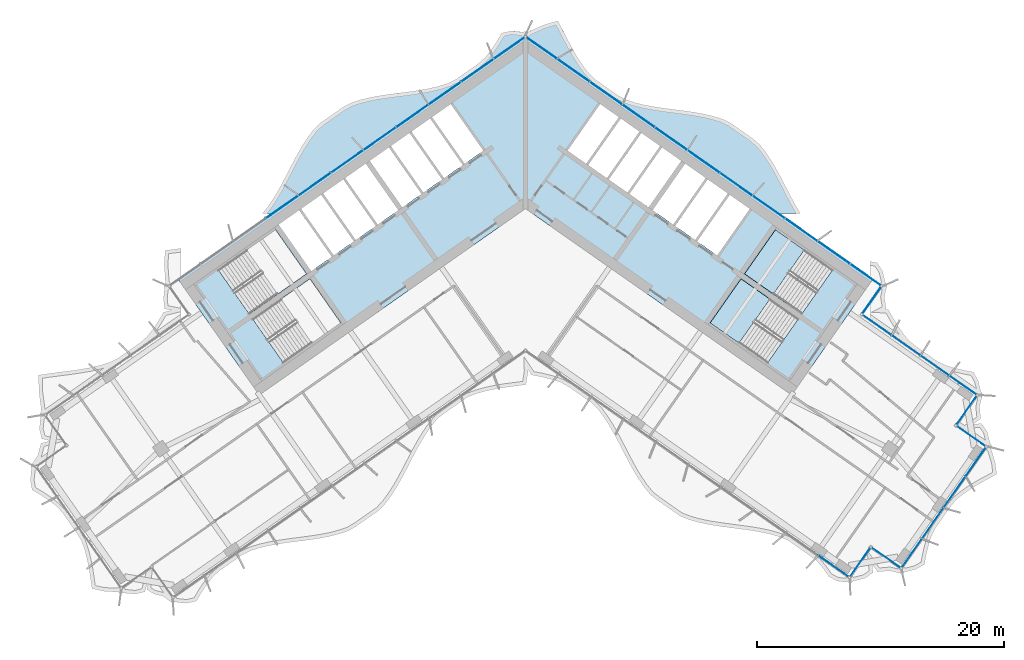
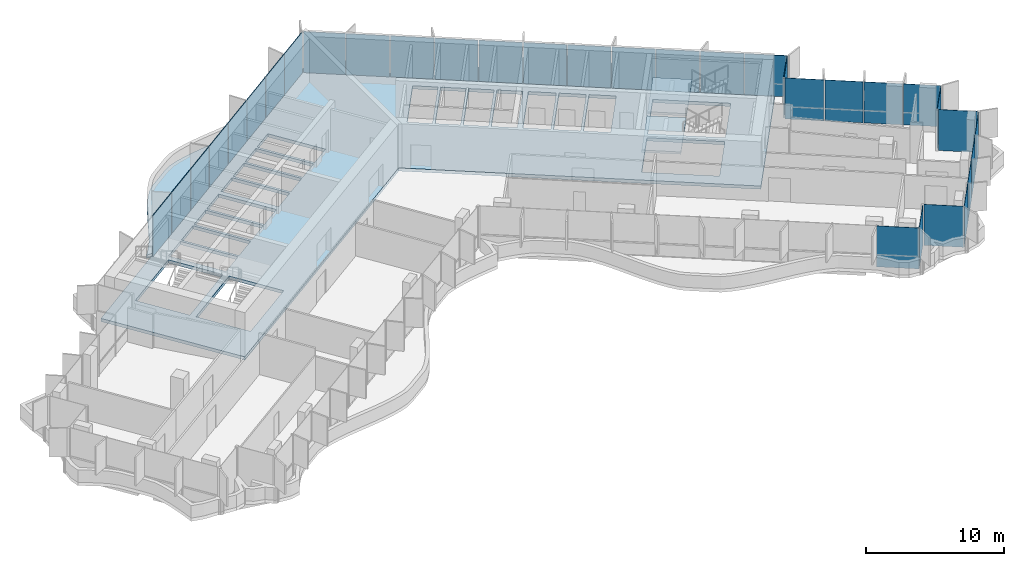
# One storey, part 11 of 21: 33 plates, 4 slabs, 4 elements without a shape of their own.
"""IFC4 building model written with IfcOpenShell, lengths in metres."""

from ifc_helpers import new_model, si_unit, direction, frame, origin, origin_2d, place, context, subcontext, project, spatial, polyline, rectangle, outline, extrude, material, layer, layer_set, type_object, element, aggregate, save


model = new_model("IFC4")

# Units and contexts
model_context = context("Model", 3, precision=1e-05, world=origin(), true_north=direction((0.0, 1.0)))
body_context = subcontext(model_context, "Body", "Model", "MODEL_VIEW")
ifc_project = project(units=[si_unit("LENGTHUNIT", "METRE"), si_unit("AREAUNIT", "SQUARE_METRE"), si_unit("VOLUMEUNIT", "CUBIC_METRE"), si_unit("PLANEANGLEUNIT", "RADIAN"), si_unit("MASSUNIT", "GRAM", prefix="KILO")], contexts=[model_context])

# Site, building, storey
site_placement = place(None, origin())
site = spatial("IfcSite", under=ifc_project, at=site_placement, CompositionType="ELEMENT")
building_placement = place(site_placement, origin())
building = spatial("IfcBuilding", under=site, at=building_placement, Name="Tel Ilan Convention Tower", CompositionType="ELEMENT")
storey_placement = place(building_placement, frame((0.0, 0.0, 155.39990234375)))
storey = spatial("IfcBuildingStorey", under=building, at=storey_placement, Name="L35", CompositionType="ELEMENT", Elevation=155.39990234375)

# Curtain wall, plates
ifc_material_1 = material(Name="Aluminium, bronze anodised", Category="aluminium")
curtain_wall_type_1 = type_object("IfcCurtainWallType", Name="CW4 STICK CURTAIN WALL, OFFICE TINTED GLASS", PredefinedType="NOTDEFINED", material=ifc_material_1)
curtain_wall_1_placement = place(storey_placement, origin())
curtain_wall_1 = element("IfcCurtainWall", 1, at=curtain_wall_1_placement, inside=storey, type_object=curtain_wall_type_1, Name="Curtain wall CW4-27.02", PredefinedType="NOTDEFINED")
ifc_material_2 = material(Name="Glass, bronze tinted, two-ply", Category="glass")
ifc_layer_1 = layer(ifc_material_2, 0.028076171875)
ifc_layer_set_1 = layer_set([ifc_layer_1], Name="CW GLASS PANEL 28")
plate_type_1 = type_object("IfcPlateType", Name="CW GLASS PANEL 28", PredefinedType="CURTAIN_PANEL", material=ifc_layer_set_1)
plate_1_placement = place(storey_placement, frame((24.958251953125, -30.172119140625, 0.0), z_axis=(0.0, 0.0, 1.0), x_axis=(0.819152044289, -0.573576436351, 0.0)))
plate_1 = element("IfcPlate", 2, at=plate_1_placement, type_object=plate_type_1, Name="Glass panel", PredefinedType="CURTAIN_PANEL", context=body_context, shape_type="SweptSolid", body=[
    extrude(rectangle(XDim=3.05078125, YDim=0.028076171875, at=origin_2d()), origin(), (0.0, 0.0, 1.0), 3.6201171875),
])
plate_2_placement = place(storey_placement, frame((27.065673828125, -29.863525390625, 0.0), z_axis=(0.0, 0.0, 1.0), x_axis=(0.573576436351, 0.819152044289, 0.0)))
plate_2 = element("IfcPlate", 3, at=plate_2_placement, type_object=plate_type_1, Name="Glass panel", PredefinedType="CURTAIN_PANEL", context=body_context, shape_type="SweptSolid", body=[
    extrude(rectangle(XDim=2.875, YDim=0.028076171875, at=origin_2d()), origin(), (0.0, 0.0, 1.0), 3.6201171875),
])
plate_3_placement = place(storey_placement, frame((29.20849609375, -29.48583984375, 0.0), z_axis=(0.0, 0.0, 1.0), x_axis=(0.819152044289, -0.573576436351, 0.0)))
plate_3 = element("IfcPlate", 4, at=plate_3_placement, type_object=plate_type_1, Name="Glass panel", PredefinedType="CURTAIN_PANEL", context=body_context, shape_type="SweptSolid", body=[
    extrude(rectangle(XDim=2.875, YDim=0.028076171875, at=origin_2d()), origin(), (0.0, 0.0, 1.0), 3.6201171875),
])
plate_4_placement = place(storey_placement, frame((31.25, -29.1181640625, 0.0), z_axis=(0.0, 0.0, 1.0), x_axis=(0.573576436351, 0.819152044289, 0.0)))
plate_4 = element("IfcPlate", 5, at=plate_4_placement, type_object=plate_type_1, Name="Glass panel", PredefinedType="CURTAIN_PANEL", context=body_context, shape_type="SweptSolid", body=[
    extrude(rectangle(XDim=2.89599609375, YDim=0.028076171875, at=origin_2d()), origin(), (0.0, 0.0, 1.0), 3.6201171875),
])
plate_5_placement = place(storey_placement, frame((32.972412109375, -26.658203125, 0.0), z_axis=(0.0, 0.0, 1.0), x_axis=(0.573576436351, 0.819152044289, 0.0)))
plate_5 = element("IfcPlate", 6, at=plate_5_placement, type_object=plate_type_1, Name="Glass panel", PredefinedType="CURTAIN_PANEL", context=body_context, shape_type="SweptSolid", body=[
    extrude(rectangle(XDim=2.989990234375, YDim=0.028076171875, at=origin_2d()), origin(), (0.0, 0.0, 1.0), 3.6201171875),
])
plate_6_placement = place(storey_placement, frame((34.721923828125, -24.159912109375, 0.0), z_axis=(0.0, 0.0, 1.0), x_axis=(0.573576436351, 0.819152044289, 0.0)))
plate_6 = element("IfcPlate", 7, at=plate_6_placement, type_object=plate_type_1, Name="Glass panel", PredefinedType="CURTAIN_PANEL", context=body_context, shape_type="SweptSolid", body=[
    extrude(rectangle(XDim=2.989990234375, YDim=0.028076171875, at=origin_2d()), origin(), (0.0, 0.0, 1.0), 3.6201171875),
])
plate_7_placement = place(storey_placement, frame((36.4443359375, -21.699951171875, 0.0), z_axis=(0.0, 0.0, 1.0), x_axis=(0.573576436351, 0.819152044289, 0.0)))
plate_7 = element("IfcPlate", 8, at=plate_7_placement, type_object=plate_type_1, Name="Glass panel", PredefinedType="CURTAIN_PANEL", context=body_context, shape_type="SweptSolid", body=[
    extrude(rectangle(XDim=2.89599609375, YDim=0.028076171875, at=origin_2d()), origin(), (0.0, 0.0, 1.0), 3.6201171875),
])
plate_8_placement = place(storey_placement, frame((36.09130859375, -19.656005859375, 0.0), z_axis=(0.0, 0.0, 1.0), x_axis=(-0.819152044289, 0.573576436351, 0.0)))
plate_8 = element("IfcPlate", 9, at=plate_8_placement, type_object=plate_type_1, Name="Glass panel", PredefinedType="CURTAIN_PANEL", context=body_context, shape_type="SweptSolid", body=[
    extrude(rectangle(XDim=2.875, YDim=0.028076171875, at=origin_2d()), origin(), (0.0, 0.0, 1.0), 3.6201171875),
])
plate_9_placement = place(storey_placement, frame((35.713623046875, -17.51318359375, 0.0), z_axis=(0.0, 0.0, 1.0), x_axis=(0.573576436351, 0.819152044289, 0.0)))
plate_9 = element("IfcPlate", 10, at=plate_9_placement, type_object=plate_type_1, Name="Glass panel", PredefinedType="CURTAIN_PANEL", context=body_context, shape_type="SweptSolid", body=[
    extrude(rectangle(XDim=2.875, YDim=0.028076171875, at=origin_2d()), origin(), (0.0, 0.0, 1.0), 3.6201171875),
])
plate_10_placement = place(storey_placement, frame((35.427978515625, -15.529052734375, 0.0), z_axis=(0.0, 0.0, 1.0), x_axis=(-0.819152044289, 0.573576436351, 0.0)))
plate_10 = element("IfcPlate", 11, at=plate_10_placement, type_object=plate_type_1, Name="Glass panel", PredefinedType="CURTAIN_PANEL", context=body_context, shape_type="SweptSolid", body=[
    extrude(rectangle(XDim=2.696044921875, YDim=0.028076171875, at=origin_2d()), origin(), (0.0, 0.0, 1.0), 3.6201171875),
])
plate_11_placement = place(storey_placement, frame((33.1318359375, -13.92138671875, 0.0), z_axis=(0.0, 0.0, 1.0), x_axis=(-0.819152044289, 0.573576436351, 0.0)))
plate_11 = element("IfcPlate", 12, at=plate_11_placement, type_object=plate_type_1, Name="Glass panel", PredefinedType="CURTAIN_PANEL", context=body_context, shape_type="SweptSolid", body=[
    extrude(rectangle(XDim=2.7900390625, YDim=0.028076171875, at=origin_2d()), origin(), (0.0, 0.0, 1.0), 3.6201171875),
])
plate_12_placement = place(storey_placement, frame((30.79736328125, -12.28662109375, 0.0), z_axis=(0.0, 0.0, 1.0), x_axis=(-0.819152044289, 0.573576436351, 0.0)))
plate_12 = element("IfcPlate", 13, at=plate_12_placement, type_object=plate_type_1, Name="Glass panel", PredefinedType="CURTAIN_PANEL", context=body_context, shape_type="SweptSolid", body=[
    extrude(rectangle(XDim=2.7900390625, YDim=0.028076171875, at=origin_2d()), origin(), (0.0, 0.0, 1.0), 3.6201171875),
])
plate_13_placement = place(storey_placement, frame((28.450927734375, -10.6435546875, 0.0), z_axis=(0.0, 0.0, 1.0), x_axis=(-0.819152044289, 0.573576436351, 0.0)))
plate_13 = element("IfcPlate", 14, at=plate_13_placement, type_object=plate_type_1, Name="Glass panel", PredefinedType="CURTAIN_PANEL", context=body_context, shape_type="SweptSolid", body=[
    extrude(rectangle(XDim=2.819091796875, YDim=0.028076171875, at=origin_2d()), origin(), (0.0, 0.0, 1.0), 3.6201171875),
])
aggregate(curtain_wall_1, [plate_1, plate_2, plate_3, plate_4, plate_5, plate_6, plate_7, plate_8, plate_9, plate_10, plate_11, plate_12, plate_13])

ifc_material_3 = material(Name="Aluminium, bronze anodised", Category="aluminium")
curtain_wall_type_2 = type_object("IfcCurtainWallType", Name="CW2 STICK CURTAIN WALL, SPANDREL PANELS", PredefinedType="NOTDEFINED", material=ifc_material_3)
curtain_wall_2_placement = place(storey_placement, origin())
curtain_wall_2 = element("IfcCurtainWall", 15, at=curtain_wall_2_placement, inside=storey, type_object=curtain_wall_type_2, Name="Curtain wall CW2-27.01", PredefinedType="NOTDEFINED")
ifc_material_4 = material(Name="Aluminium composite panel, bronze anodised", Category="aluminium")
ifc_layer_2 = layer(ifc_material_4, 0.06005859375)
ifc_layer_set_2 = layer_set([ifc_layer_2], Name="CW SPANDREL PANEL 60")
plate_type_2 = type_object("IfcPlateType", Name="CW SPANDREL PANEL 60", PredefinedType="CURTAIN_PANEL", material=ifc_layer_set_2)
plate_14_placement = place(storey_placement, frame((28.033935546875, -8.60546875, 0.0), z_axis=(0.0, 0.0, 1.0), x_axis=(0.573576436351, 0.819152044289, 0.0)))
plate_14 = element("IfcPlate", 16, at=plate_14_placement, type_object=plate_type_2, Name="Spandrel panel", PredefinedType="CURTAIN_PANEL", context=body_context, shape_type="SweptSolid", body=[
    extrude(rectangle(XDim=2.658935546875, YDim=0.06005859375, at=origin_2d()), origin(), (0.0, 0.0, 1.0), 3.6201171875),
])
plate_15_placement = place(storey_placement, frame((27.5400390625, -6.587646484375, 0.0), z_axis=(0.0, 0.0, 1.0), x_axis=(-0.819152044289, 0.573576436351, 0.0)))
plate_15 = element("IfcPlate", 17, at=plate_15_placement, type_object=plate_type_2, Name="Spandrel panel", PredefinedType="CURTAIN_PANEL", context=body_context, shape_type="SweptSolid", body=[
    extrude(rectangle(XDim=3.0439453125, YDim=0.06005859375, at=origin_2d()), origin(), (0.0, 0.0, 1.0), 3.6201171875),
])
plate_16_placement = place(storey_placement, frame((24.95263671875, -4.77587890625, 0.0), z_axis=(0.0, 0.0, 1.0), x_axis=(-0.819152044289, 0.573576436351, 0.0)))
plate_16 = element("IfcPlate", 18, at=plate_16_placement, type_object=plate_type_2, Name="Spandrel panel", PredefinedType="CURTAIN_PANEL", context=body_context, shape_type="SweptSolid", body=[
    extrude(rectangle(XDim=3.15380859375, YDim=0.06005859375, at=origin_2d()), origin(), (0.0, 0.0, 1.0), 3.6201171875),
])
plate_17_placement = place(storey_placement, frame((22.31982421875, -2.9326171875, 0.0), z_axis=(0.0, 0.0, 1.0), x_axis=(-0.819152044289, 0.573576436351, 0.0)))
plate_17 = element("IfcPlate", 19, at=plate_17_placement, type_object=plate_type_2, Name="Spandrel panel", PredefinedType="CURTAIN_PANEL", context=body_context, shape_type="SweptSolid", body=[
    extrude(rectangle(XDim=3.15380859375, YDim=0.06005859375, at=origin_2d()), origin(), (0.0, 0.0, 1.0), 3.6201171875),
])
plate_18_placement = place(storey_placement, frame((19.687255859375, -1.089111328125, 0.0), z_axis=(0.0, 0.0, 1.0), x_axis=(-0.819152044289, 0.573576436351, 0.0)))
plate_18 = element("IfcPlate", 20, at=plate_18_placement, type_object=plate_type_2, Name="Spandrel panel", PredefinedType="CURTAIN_PANEL", context=body_context, shape_type="SweptSolid", body=[
    extrude(rectangle(XDim=3.15380859375, YDim=0.06005859375, at=origin_2d()), origin(), (0.0, 0.0, 1.0), 3.6201171875),
])
plate_19_placement = place(storey_placement, frame((17.0546875, 0.754150390625, 0.0), z_axis=(0.0, 0.0, 1.0), x_axis=(-0.819152044289, 0.573576436351, 0.0)))
plate_19 = element("IfcPlate", 21, at=plate_19_placement, type_object=plate_type_2, Name="Spandrel panel", PredefinedType="CURTAIN_PANEL", context=body_context, shape_type="SweptSolid", body=[
    extrude(rectangle(XDim=3.15380859375, YDim=0.06005859375, at=origin_2d()), origin(), (0.0, 0.0, 1.0), 3.6201171875),
])
plate_20_placement = place(storey_placement, frame((14.422119140625, 2.59765625, 0.0), z_axis=(0.0, 0.0, 1.0), x_axis=(-0.819152044289, 0.573576436351, 0.0)))
plate_20 = element("IfcPlate", 22, at=plate_20_placement, type_object=plate_type_2, Name="Spandrel panel", PredefinedType="CURTAIN_PANEL", context=body_context, shape_type="SweptSolid", body=[
    extrude(rectangle(XDim=3.15380859375, YDim=0.06005859375, at=origin_2d()), origin(), (0.0, 0.0, 1.0), 3.6201171875),
])
plate_21_placement = place(storey_placement, frame((11.789306640625, 4.44091796875, 0.0), z_axis=(0.0, 0.0, 1.0), x_axis=(-0.819152044289, 0.573576436351, 0.0)))
plate_21 = element("IfcPlate", 23, at=plate_21_placement, type_object=plate_type_2, Name="Spandrel panel", PredefinedType="CURTAIN_PANEL", context=body_context, shape_type="SweptSolid", body=[
    extrude(rectangle(XDim=3.15380859375, YDim=0.06005859375, at=origin_2d()), origin(), (0.0, 0.0, 1.0), 3.6201171875),
])
plate_22_placement = place(storey_placement, frame((9.15673828125, 6.284423828125, 0.0), z_axis=(0.0, 0.0, 1.0), x_axis=(-0.819152044289, 0.573576436351, 0.0)))
plate_22 = element("IfcPlate", 24, at=plate_22_placement, type_object=plate_type_2, Name="Spandrel panel", PredefinedType="CURTAIN_PANEL", context=body_context, shape_type="SweptSolid", body=[
    extrude(rectangle(XDim=3.15380859375, YDim=0.06005859375, at=origin_2d()), origin(), (0.0, 0.0, 1.0), 3.6201171875),
])
plate_23_placement = place(storey_placement, frame((6.524169921875, 8.127685546875, 0.0), z_axis=(0.0, 0.0, 1.0), x_axis=(-0.819152044289, 0.573576436351, 0.0)))
plate_23 = element("IfcPlate", 25, at=plate_23_placement, type_object=plate_type_2, Name="Spandrel panel", PredefinedType="CURTAIN_PANEL", context=body_context, shape_type="SweptSolid", body=[
    extrude(rectangle(XDim=3.15380859375, YDim=0.06005859375, at=origin_2d()), origin(), (0.0, 0.0, 1.0), 3.6201171875),
])
plate_24_placement = place(storey_placement, frame((3.8916015625, 9.97119140625, 0.0), z_axis=(0.0, 0.0, 1.0), x_axis=(-0.819152044289, 0.573576436351, 0.0)))
plate_24 = element("IfcPlate", 26, at=plate_24_placement, type_object=plate_type_2, Name="Spandrel panel", PredefinedType="CURTAIN_PANEL", context=body_context, shape_type="SweptSolid", body=[
    extrude(rectangle(XDim=3.15380859375, YDim=0.06005859375, at=origin_2d()), origin(), (0.0, 0.0, 1.0), 3.6201171875),
])
plate_25_placement = place(storey_placement, frame((1.303955078125, 11.782958984375, 0.0), z_axis=(0.0, 0.0, 1.0), x_axis=(-0.819152044289, 0.573576436351, 0.0)))
plate_25 = element("IfcPlate", 27, at=plate_25_placement, type_object=plate_type_2, Name="Spandrel panel", PredefinedType="CURTAIN_PANEL", context=body_context, shape_type="SweptSolid", body=[
    extrude(rectangle(XDim=3.0439453125, YDim=0.06005859375, at=origin_2d()), origin(), (0.0, 0.0, 1.0), 3.6201171875),
])
plate_26_placement = place(storey_placement, frame((-1.303955078125, 11.782958984375, 0.0), z_axis=(0.0, 0.0, 1.0), x_axis=(-0.819152044289, -0.573576436351, 0.0)))
plate_26 = element("IfcPlate", 28, at=plate_26_placement, type_object=plate_type_2, Name="Spandrel panel", PredefinedType="CURTAIN_PANEL", context=body_context, shape_type="SweptSolid", body=[
    extrude(rectangle(XDim=3.0439453125, YDim=0.06005859375, at=origin_2d()), origin(), (0.0, 0.0, 1.0), 3.6201171875),
])
plate_27_placement = place(storey_placement, frame((-3.8916015625, 9.97119140625, 0.0), z_axis=(0.0, 0.0, 1.0), x_axis=(-0.819152044289, -0.573576436351, 0.0)))
plate_27 = element("IfcPlate", 29, at=plate_27_placement, type_object=plate_type_2, Name="Spandrel panel", PredefinedType="CURTAIN_PANEL", context=body_context, shape_type="SweptSolid", body=[
    extrude(rectangle(XDim=3.15380859375, YDim=0.06005859375, at=origin_2d()), origin(), (0.0, 0.0, 1.0), 3.6201171875),
])
plate_28_placement = place(storey_placement, frame((-6.524169921875, 8.127685546875, 0.0), z_axis=(0.0, 0.0, 1.0), x_axis=(-0.819152044289, -0.573576436351, 0.0)))
plate_28 = element("IfcPlate", 30, at=plate_28_placement, type_object=plate_type_2, Name="Spandrel panel", PredefinedType="CURTAIN_PANEL", context=body_context, shape_type="SweptSolid", body=[
    extrude(rectangle(XDim=3.15380859375, YDim=0.06005859375, at=origin_2d()), origin(), (0.0, 0.0, 1.0), 3.6201171875),
])
plate_29_placement = place(storey_placement, frame((-9.15673828125, 6.284423828125, 0.0), z_axis=(0.0, 0.0, 1.0), x_axis=(-0.819152044289, -0.573576436351, 0.0)))
plate_29 = element("IfcPlate", 31, at=plate_29_placement, type_object=plate_type_2, Name="Spandrel panel", PredefinedType="CURTAIN_PANEL", context=body_context, shape_type="SweptSolid", body=[
    extrude(rectangle(XDim=3.15380859375, YDim=0.06005859375, at=origin_2d()), origin(), (0.0, 0.0, 1.0), 3.6201171875),
])
plate_30_placement = place(storey_placement, frame((-11.789306640625, 4.44091796875, 0.0), z_axis=(0.0, 0.0, 1.0), x_axis=(-0.819152044289, -0.573576436351, 0.0)))
plate_30 = element("IfcPlate", 32, at=plate_30_placement, type_object=plate_type_2, Name="Spandrel panel", PredefinedType="CURTAIN_PANEL", context=body_context, shape_type="SweptSolid", body=[
    extrude(rectangle(XDim=3.15380859375, YDim=0.06005859375, at=origin_2d()), origin(), (0.0, 0.0, 1.0), 3.6201171875),
])
plate_31_placement = place(storey_placement, frame((-14.422119140625, 2.59765625, 0.0), z_axis=(0.0, 0.0, 1.0), x_axis=(-0.819152044289, -0.573576436351, 0.0)))
plate_31 = element("IfcPlate", 33, at=plate_31_placement, type_object=plate_type_2, Name="Spandrel panel", PredefinedType="CURTAIN_PANEL", context=body_context, shape_type="SweptSolid", body=[
    extrude(rectangle(XDim=3.15380859375, YDim=0.06005859375, at=origin_2d()), origin(), (0.0, 0.0, 1.0), 3.6201171875),
])
plate_32_placement = place(storey_placement, frame((-17.0546875, 0.754150390625, 0.0), z_axis=(0.0, 0.0, 1.0), x_axis=(-0.819152044289, -0.573576436351, 0.0)))
plate_32 = element("IfcPlate", 34, at=plate_32_placement, type_object=plate_type_2, Name="Spandrel panel", PredefinedType="CURTAIN_PANEL", context=body_context, shape_type="SweptSolid", body=[
    extrude(rectangle(XDim=3.15380859375, YDim=0.06005859375, at=origin_2d()), origin(), (0.0, 0.0, 1.0), 3.6201171875),
])
plate_33_placement = place(storey_placement, frame((-19.687255859375, -1.089111328125, 0.0), z_axis=(0.0, 0.0, 1.0), x_axis=(-0.819152044289, -0.573576436351, 0.0)))
plate_33 = element("IfcPlate", 35, at=plate_33_placement, type_object=plate_type_2, Name="Spandrel panel", PredefinedType="CURTAIN_PANEL", context=body_context, shape_type="SweptSolid", body=[
    extrude(rectangle(XDim=3.15380859375, YDim=0.06005859375, at=origin_2d()), origin(), (0.0, 0.0, 1.0), 3.6201171875),
])
aggregate(curtain_wall_2, [plate_14, plate_15, plate_16, plate_17, plate_18, plate_19, plate_20, plate_21, plate_22, plate_23, plate_24, plate_25, plate_26, plate_27, plate_28, plate_29, plate_30, plate_31, plate_32, plate_33])

# Stair, slab
ifc_material_5 = material(Name="Concrete C40/50", Category="concrete")
stair_type = type_object("IfcStairType", Name="Pressurised Exit Stair 22 risers 177 mm", PredefinedType="HALF_TURN_STAIR", material=ifc_material_5)
stair_1_placement = place(storey_placement, origin())
stair_1 = element("IfcStair", 36, at=stair_1_placement, inside=storey, type_object=stair_type, Name="L35 Pressurised Stair S3", PredefinedType="HALF_TURN_STAIR")
ifc_material_6 = material(Name="Concrete C40/50", Category="concrete")
ifc_layer_3 = layer(ifc_material_6, 0.199951171875)
ifc_layer_set_3 = layer_set([ifc_layer_3], Name="Concrete Stair Landing 200 mm C40/50")
slab_type_1 = type_object("IfcSlabType", Name="Concrete Stair Landing 200 mm", PredefinedType="LANDING", material=ifc_layer_set_3)
slab_1_placement = place(storey_placement, frame((0.0, 0.0, 1.75)))
slab_1 = element("IfcSlab", 37, at=slab_1_placement, type_object=slab_type_1, Name="S3 landing 1", PredefinedType="LANDING", context=body_context, shape_type="SweptSolid", body=[
    extrude(outline(polyline([(22.561767578125, -4.566650390625), (20.226318359375, -2.931640625), (17.7314453125, -6.494873046875), (20.066650390625, -8.130126953125), (22.561767578125, -4.566650390625)])), origin(), (0.0, 0.0, 1.0), 0.2001953125),
])
aggregate(stair_1, [slab_1])

stair_2_placement = place(storey_placement, origin())
stair_2 = element("IfcStair", 38, at=stair_2_placement, inside=storey, type_object=stair_type, Name="L35 Pressurised Stair S4", PredefinedType="HALF_TURN_STAIR")
slab_2_placement = place(storey_placement, frame((0.0, 0.0, 1.75)))
slab_2 = element("IfcSlab", 39, at=slab_2_placement, type_object=slab_type_1, Name="S4 landing 1", PredefinedType="LANDING", context=body_context, shape_type="SweptSolid", body=[
    extrude(outline(polyline([(19.77978515625, -8.53955078125), (17.444580078125, -6.904541015625), (14.949462890625, -10.4677734375), (17.28466796875, -12.10302734375), (19.77978515625, -8.53955078125)])), origin(), (0.0, 0.0, 1.0), 0.2001953125),
])
aggregate(stair_2, [slab_2])

# Slabs
ifc_material_7 = material(Name="Concrete C40/50", Category="concrete")
ifc_layer_4 = layer(ifc_material_7, 0.280029296875)
ifc_layer_set_4 = layer_set([ifc_layer_4], Name="Core Floor Slab 280 mm C40/50")
slab_type_2 = type_object("IfcSlabType", Name="Core Floor Slab 280 mm C40/50", PredefinedType="FLOOR", material=ifc_layer_set_4)
slab_3_placement = place(storey_placement, frame((0.0, 0.0, -0.27978515625)))
element("IfcSlab", 40, at=slab_3_placement, inside=storey, type_object=slab_type_2, Name="L35 core floor 1", PredefinedType="FLOOR", context=body_context, shape_type="SweptSolid", body=[
    extrude(outline(polyline([(-28.1396484375, -6.885498046875), (0.0, 12.818115234375), (28.1396484375, -6.885498046875), (21.54345703125, -16.3056640625), (0.0, -1.220703125), (-21.54345703125, -16.3056640625), (-28.1396484375, -6.885498046875)]), holes=[polyline([(-14.949462890625, -10.4677734375), (-17.444580078125, -6.904541015625), (-22.072021484375, -10.144775390625), (-19.5771484375, -13.7080078125), (-14.949462890625, -10.4677734375)]), polyline([(-17.7314453125, -6.494873046875), (-20.226318359375, -2.931640625), (-24.85400390625, -6.171875), (-22.35888671875, -9.735107421875), (-17.7314453125, -6.494873046875)]), polyline([(-18.313720703125, -1.34814453125), (-19.972412109375, -2.509521484375), (-17.333984375, -6.277587890625), (-15.67529296875, -5.1162109375), (-18.313720703125, -1.34814453125)]), polyline([(-16.531982421875, -0.1005859375), (-18.14990234375, -1.2333984375), (-15.511474609375, -5.00146484375), (-13.8935546875, -3.86865234375), (-16.531982421875, -0.1005859375)]), polyline([(-14.75048828125, 1.14697265625), (-16.368408203125, 0.01416015625), (-13.729736328125, -3.75390625), (-12.112060546875, -2.62109375), (-14.75048828125, 1.14697265625)]), polyline([(-12.927734375, 2.423095703125), (-14.586669921875, 1.26171875), (-11.947998046875, -2.506591796875), (-10.289306640625, -1.344970703125), (-12.927734375, 2.423095703125)]), polyline([(-11.053955078125, 3.735107421875), (-12.60009765625, 2.652587890625), (-9.961669921875, -1.115478515625), (-8.41552734375, -0.032958984375), (-11.053955078125, 3.735107421875)]), polyline([(-6.74658203125, 1.1357421875), (-9.385009765625, 4.90380859375), (-10.89013671875, 3.849853515625), (-8.251708984375, 0.081787109375), (-6.74658203125, 1.1357421875)]), polyline([(-5.077392578125, 2.304443359375), (-7.716064453125, 6.072509765625), (-9.22119140625, 5.0185546875), (-6.582763671875, 1.25048828125), (-5.077392578125, 2.304443359375)]), polyline([(-6.046875, 7.2412109375), (-7.552001953125, 6.187255859375), (-4.913818359375, 2.419189453125), (-3.408447265625, 3.47314453125), (-6.046875, 7.2412109375)]), polyline([(17.444580078125, -6.904541015625), (14.949462890625, -10.4677734375), (19.5771484375, -13.7080078125), (22.072021484375, -10.144775390625), (17.444580078125, -6.904541015625)]), polyline([(20.226318359375, -2.931640625), (17.7314453125, -6.494873046875), (22.35888671875, -9.735107421875), (24.85400390625, -6.171875), (20.226318359375, -2.931640625)]), polyline([(13.8935546875, -3.86865234375), (15.511474609375, -5.00146484375), (18.14990234375, -1.2333984375), (16.531982421875, -0.1005859375), (13.8935546875, -3.86865234375)]), polyline([(12.112060546875, -2.62109375), (13.729736328125, -3.75390625), (16.368408203125, 0.01416015625), (14.75048828125, 1.14697265625), (12.112060546875, -2.62109375)]), polyline([(11.947998046875, -2.506591796875), (14.586669921875, 1.26171875), (12.927734375, 2.423095703125), (10.289306640625, -1.344970703125), (11.947998046875, -2.506591796875)]), polyline([(9.961669921875, -1.115478515625), (12.60009765625, 2.652587890625), (11.053955078125, 3.735107421875), (8.41552734375, -0.032958984375), (9.961669921875, -1.115478515625)]), polyline([(8.251708984375, 0.081787109375), (10.89013671875, 3.849853515625), (9.385009765625, 4.90380859375), (6.74658203125, 1.1357421875), (8.251708984375, 0.081787109375)]), polyline([(5.077392578125, 2.304443359375), (6.582763671875, 1.25048828125), (9.22119140625, 5.0185546875), (7.716064453125, 6.072509765625), (5.077392578125, 2.304443359375)]), polyline([(3.408447265625, 3.47314453125), (4.913818359375, 2.419189453125), (7.552001953125, 6.187255859375), (6.046875, 7.2412109375), (3.408447265625, 3.47314453125)])]), origin(), (0.0, 0.0, 1.0), 0.27978515625),
])
ifc_material_8 = material(Name="Concrete C40/50", Category="concrete")
ifc_layer_5 = layer(ifc_material_8, 0.280029296875)
ifc_layer_set_5 = layer_set([ifc_layer_5], Name="Edge Ledge Slab 280 mm C40/50")
slab_type_3 = type_object("IfcSlabType", Name="Edge Ledge Slab 280 mm C40/50", PredefinedType="FLOOR", material=ifc_layer_set_5)
slab_4_placement = place(storey_placement, frame((0.0, 0.0, -0.27978515625)))
element("IfcSlab", 41, at=slab_4_placement, inside=storey, type_object=slab_type_3, Name="L35 edge ledge 2", PredefinedType="FLOOR", context=body_context, shape_type="SweptSolid", body=[
    extrude(outline(polyline([(-19.60009765625, 1.004150390625), (-19.217529296875, 1.741943359375), (-18.83642578125, 2.481689453125), (-18.44677734375, 3.209228515625), (-18.0390625, 3.910888671875), (-17.604736328125, 4.574951171875), (-17.13671875, 5.190185546875), (-16.6015625, 5.71044921875), (-14.791748046875, 6.977783203125), (-14.1416015625, 7.33349609375), (-13.41064453125, 7.573486328125), (-12.644287109375, 7.76318359375), (-11.849853515625, 7.91259765625), (-11.03564453125, 8.033935546875), (-10.211181640625, 8.140380859375), (-9.385986328125, 8.24609375), (-8.570068359375, 8.36474609375), (-7.7724609375, 8.509765625), (-7.002197265625, 8.693603515625), (-6.26611328125, 8.926513671875), (-5.601806640625, 9.261962890625), (-3.7919921875, 10.529296875), (-3.2421875, 11.0283203125), (-2.769287109375, 11.63671875), (-2.3310546875, 12.294921875), (-1.919921875, 12.991943359375), (-1.14208984375, 13.1650390625), (-0.172119140625, 13.06396484375), (-0.168701171875, 13.05908203125), (-0.11474609375, 13.09521484375), (0.0, 13.1181640625), (0.11474609375, 13.09521484375), (0.168701171875, 13.05908203125), (0.172119140625, 13.06396484375), (1.4794921875, 13.647216796875), (2.6162109375, 13.986328125), (3.000244140625, 13.250732421875), (3.38134765625, 12.510986328125), (3.770263671875, 11.7822265625), (4.176513671875, 11.078369140625), (4.608642578125, 10.41162109375), (5.074462890625, 9.792724609375), (5.601806640625, 9.261962890625), (7.411865234375, 7.99462890625), (8.054931640625, 7.62890625), (8.783447265625, 7.385498046875), (9.547607421875, 7.19287109375), (10.340576171875, 7.041015625), (11.15380859375, 6.91845703125), (11.977783203125, 6.811279296875), (12.80322265625, 6.7060546875), (13.6201171875, 6.588623046875), (14.419189453125, 6.44580078125), (15.191650390625, 6.2646484375), (15.929931640625, 6.03515625), (16.6015625, 5.71044921875), (18.41162109375, 4.443115234375), (18.96826171875, 3.9541015625), (19.44384765625, 3.34912109375), (19.884033203125, 2.69384765625), (20.296142578125, 1.998291015625), (20.688720703125, 1.27490234375), (21.07080078125, 0.53662109375), (21.4521484375, -0.202880859375), (21.8427734375, -0.928955078125), (22.25341796875, -1.631591796875), (20.63623046875, -1.631591796875), (0.0, 12.818115234375), (-20.63623046875, -1.631591796875), (-21.30126953125, -1.631591796875), (-20.849609375, -1.0634765625), (-20.4072265625, -0.4111328125), (-19.993408203125, 0.281982421875), (-19.60009765625, 1.004150390625)])), origin(), (0.0, 0.0, 1.0), 0.27978515625),
])

save(model, "model.ifc")
